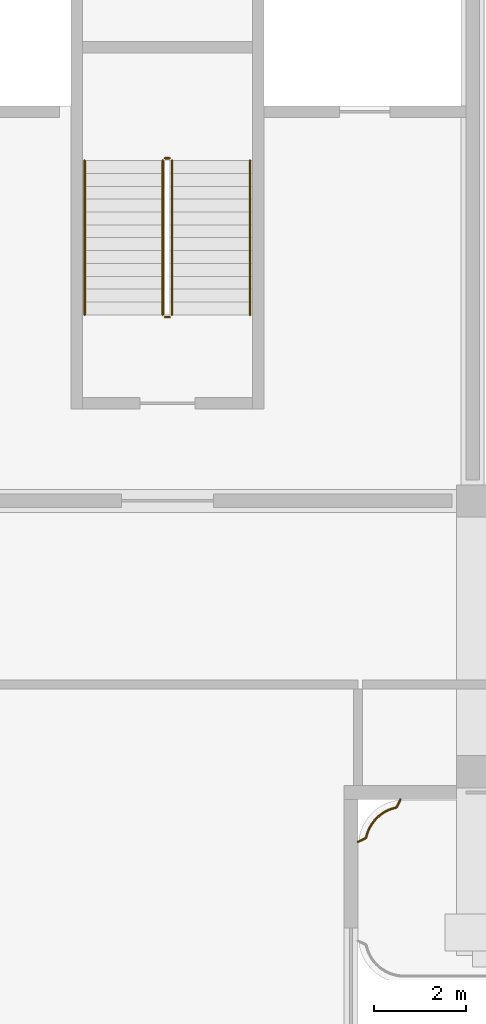
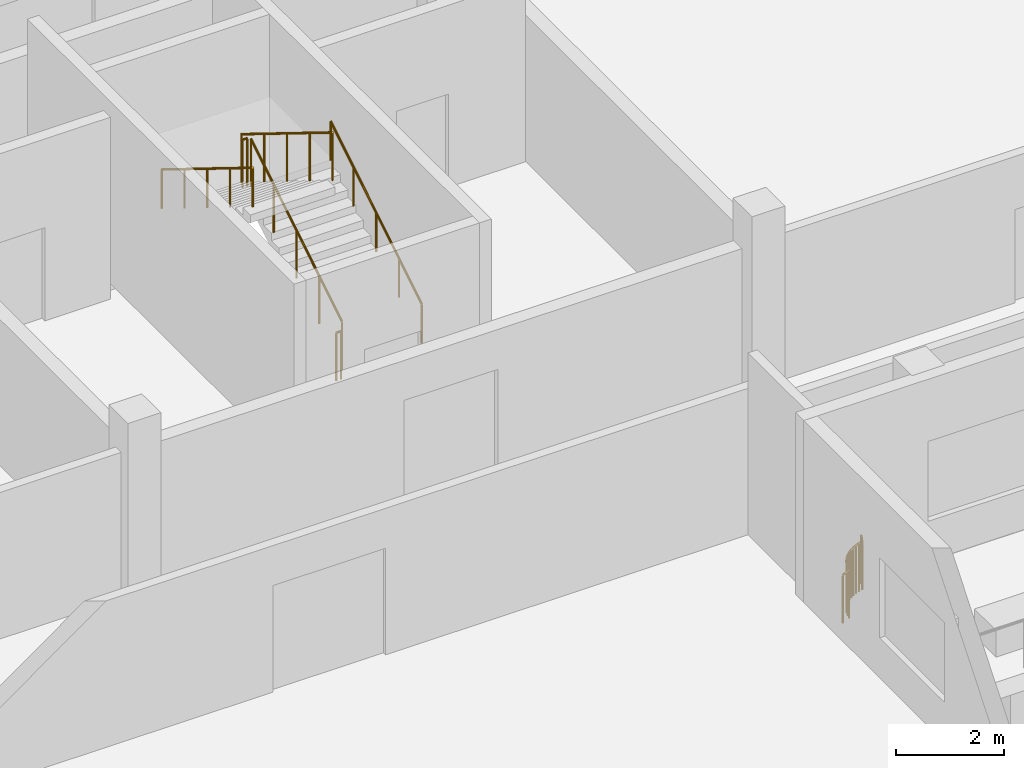
# One storey, part 34 of 36: 7 railings.
"""IFC4 building model written with IfcOpenShell, lengths in metres."""

from ifc_helpers import new_model, si_unit, direction, frame, origin, origin_2d, place, context, subcontext, project, spatial, circle, extrude, material, type_object, element, save


model = new_model("IFC4")

# Units and contexts
model_context = context("Model", 3, precision=1e-05, world=origin(), true_north=direction((0.0, 1.0)))
body_context = subcontext(model_context, "Body", "Model", "MODEL_VIEW")
ifc_project = project(units=[si_unit("LENGTHUNIT", "METRE"), si_unit("AREAUNIT", "SQUARE_METRE"), si_unit("VOLUMEUNIT", "CUBIC_METRE"), si_unit("PLANEANGLEUNIT", "RADIAN"), si_unit("MASSUNIT", "GRAM", prefix="KILO")], contexts=[model_context])

# Site, building, storey
site_placement = place(None, origin())
site = spatial("IfcSite", under=ifc_project, at=site_placement, CompositionType="ELEMENT")
building_placement = place(site_placement, origin())
building = spatial("IfcBuilding", under=site, at=building_placement, Name="Kilnfold Tower and Market Hall", CompositionType="ELEMENT")
storey_placement = place(building_placement, frame((0.0, 0.0, 18.0)))
storey = spatial("IfcBuildingStorey", under=building, at=storey_placement, Name="L03", CompositionType="ELEMENT", Elevation=18.0)

# Railings
ifc_material_1 = material(Name="Steel S355", Category="steel")
railing_type_1 = type_object("IfcRailingType", Name="HALL STAIR GUARD 1100", PredefinedType="GUARDRAIL", material=ifc_material_1)
railing_1_placement = place(storey_placement, frame((24.10009765625, 46.699951171875, 0.173095703125)))
element("IfcRailing", 1, at=railing_1_placement, inside=storey, type_object=railing_type_1, Name="L03 MS5 stair guard 1", PredefinedType="GUARDRAIL", context=body_context, shape_type="SweptSolid", body=[
    extrude(circle(Radius=0.02392578125, at=origin_2d()), frame((0.0, 0.0, 1.076171875), z_axis=(0.0, 0.850623216509, 0.525775754039), x_axis=(-1.0, 0.0, 0.0)), (0.0, 0.0, 1.0), 3.9501953125),
    extrude(circle(Radius=0.02099609375, at=origin_2d()), origin(), (0.0, 0.0, 1.0), 1.052001953125),
    extrude(circle(Radius=0.02099609375, at=origin_2d()), frame((0.0, 0.840087890625, 0.519287109375)), (0.0, 0.0, 1.0), 1.052001953125),
    extrude(circle(Radius=0.02099609375, at=origin_2d()), frame((0.0, 1.68017578125, 1.03857421875)), (0.0, 0.0, 1.0), 1.052001953125),
    extrude(circle(Radius=0.02099609375, at=origin_2d()), frame((0.0, 2.52001953125, 1.5576171875)), (0.0, 0.0, 1.0), 1.052001953125),
    extrude(circle(Radius=0.02099609375, at=origin_2d()), frame((0.0, 3.360107421875, 2.076904296875)), (0.0, 0.0, 1.0), 1.052001953125),
])
railing_2_placement = place(storey_placement, frame((24.050048828125, 50.110107421875, 2.25)))
element("IfcRailing", 2, at=railing_2_placement, inside=storey, type_object=railing_type_1, Name="L03 MS5 stair guard 2", PredefinedType="GUARDRAIL", context=body_context, shape_type="SweptSolid", body=[
    extrude(circle(Radius=0.02392578125, at=origin_2d()), frame((0.0, 0.0, 1.076171875), z_axis=(-1.0, 0.0, 0.0), x_axis=(0.0, -1.0, 0.0)), (0.0, 0.0, 1.0), 0.10009765625),
    extrude(circle(Radius=0.02099609375, at=origin_2d()), origin(), (0.0, 0.0, 1.0), 1.052001953125),
    extrude(circle(Radius=0.02099609375, at=origin_2d()), frame((-0.10009765625, 0.0, 0.0)), (0.0, 0.0, 1.0), 1.052001953125),
])
railing_3_placement = place(storey_placement, frame((23.89990234375, 50.06005859375, 2.423095703125)))
element("IfcRailing", 3, at=railing_3_placement, inside=storey, type_object=railing_type_1, Name="L03 MS5 stair guard 3", PredefinedType="GUARDRAIL", context=body_context, shape_type="SweptSolid", body=[
    extrude(circle(Radius=0.02392578125, at=origin_2d()), frame((0.0, 0.0, 1.076171875), z_axis=(0.0, -0.850623216509, 0.525775754039), x_axis=(1.0, 0.0, 0.0)), (0.0, 0.0, 1.0), 3.9501953125),
    extrude(circle(Radius=0.02099609375, at=origin_2d()), origin(), (0.0, 0.0, 1.0), 1.052001953125),
    extrude(circle(Radius=0.02099609375, at=origin_2d()), frame((0.0, -0.840087890625, 0.519287109375)), (0.0, 0.0, 1.0), 1.052001953125),
    extrude(circle(Radius=0.02099609375, at=origin_2d()), frame((0.0, -1.68017578125, 1.03857421875)), (0.0, 0.0, 1.0), 1.052001953125),
    extrude(circle(Radius=0.02099609375, at=origin_2d()), frame((0.0, -2.52001953125, 1.5576171875)), (0.0, 0.0, 1.0), 1.052001953125),
    extrude(circle(Radius=0.02099609375, at=origin_2d()), frame((0.0, -3.360107421875, 2.076904296875)), (0.0, 0.0, 1.0), 1.052001953125),
])
railing_4_placement = place(storey_placement, frame((24.050048828125, 46.64990234375, 0.0)))
element("IfcRailing", 4, at=railing_4_placement, inside=storey, type_object=railing_type_1, Name="L03 MS5 stair guard 4", PredefinedType="GUARDRAIL", context=body_context, shape_type="SweptSolid", body=[
    extrude(circle(Radius=0.02392578125, at=origin_2d()), frame((0.0, 0.0, 1.076171875), z_axis=(-1.0, 0.0, 0.0), x_axis=(0.0, -1.0, 0.0)), (0.0, 0.0, 1.0), 0.10009765625),
    extrude(circle(Radius=0.02099609375, at=origin_2d()), origin(), (0.0, 0.0, 1.0), 1.052001953125),
    extrude(circle(Radius=0.02099609375, at=origin_2d()), frame((-0.10009765625, 0.0, 0.0)), (0.0, 0.0, 1.0), 1.052001953125),
])
ifc_material_2 = material(Name="Steel S355", Category="steel")
railing_type_2 = type_object("IfcRailingType", Name="HALL STAIR HANDRAIL", PredefinedType="HANDRAIL", material=ifc_material_2)
railing_5_placement = place(storey_placement, frame((25.800048828125, 46.699951171875, 0.173095703125)))
element("IfcRailing", 5, at=railing_5_placement, inside=storey, type_object=railing_type_2, Name="L03 MS5 stair handrail 1", PredefinedType="HANDRAIL", context=body_context, shape_type="SweptSolid", body=[
    extrude(circle(Radius=0.02392578125, at=origin_2d()), frame((0.0, 0.0, 0.8759765625), z_axis=(0.0, 0.850623216509, 0.525775754039), x_axis=(-1.0, 0.0, 0.0)), (0.0, 0.0, 1.0), 3.9501953125),
    extrude(circle(Radius=0.02099609375, at=origin_2d()), origin(), (0.0, 0.0, 1.0), 0.851806640625),
    extrude(circle(Radius=0.02099609375, at=origin_2d()), frame((0.0, 0.840087890625, 0.519287109375)), (0.0, 0.0, 1.0), 0.851806640625),
    extrude(circle(Radius=0.02099609375, at=origin_2d()), frame((0.0, 1.68017578125, 1.03857421875)), (0.0, 0.0, 1.0), 0.851806640625),
    extrude(circle(Radius=0.02099609375, at=origin_2d()), frame((0.0, 2.52001953125, 1.5576171875)), (0.0, 0.0, 1.0), 0.851806640625),
    extrude(circle(Radius=0.02099609375, at=origin_2d()), frame((0.0, 3.360107421875, 2.076904296875)), (0.0, 0.0, 1.0), 0.851806640625),
])
railing_6_placement = place(storey_placement, frame((22.199951171875, 50.06005859375, 2.423095703125)))
element("IfcRailing", 6, at=railing_6_placement, inside=storey, type_object=railing_type_2, Name="L03 MS5 stair handrail 2", PredefinedType="HANDRAIL", context=body_context, shape_type="SweptSolid", body=[
    extrude(circle(Radius=0.02392578125, at=origin_2d()), frame((0.0, 0.0, 0.8759765625), z_axis=(0.0, -0.850623216509, 0.525775754039), x_axis=(1.0, 0.0, 0.0)), (0.0, 0.0, 1.0), 3.9501953125),
    extrude(circle(Radius=0.02099609375, at=origin_2d()), origin(), (0.0, 0.0, 1.0), 0.851806640625),
    extrude(circle(Radius=0.02099609375, at=origin_2d()), frame((0.0, -0.840087890625, 0.519287109375)), (0.0, 0.0, 1.0), 0.851806640625),
    extrude(circle(Radius=0.02099609375, at=origin_2d()), frame((0.0, -1.68017578125, 1.03857421875)), (0.0, 0.0, 1.0), 0.851806640625),
    extrude(circle(Radius=0.02099609375, at=origin_2d()), frame((0.0, -2.52001953125, 1.5576171875)), (0.0, 0.0, 1.0), 0.851806640625),
    extrude(circle(Radius=0.02099609375, at=origin_2d()), frame((0.0, -3.360107421875, 2.076904296875)), (0.0, 0.0, 1.0), 0.851806640625),
])
ifc_material_3 = material(Name="Steel S355", Category="steel")
railing_type_3 = type_object("IfcRailingType", Name="TERRACE GUARD 1100", PredefinedType="GUARDRAIL", material=ifc_material_3)
railing_7_placement = place(storey_placement, frame((28.14990234375, 35.223388671875, 0.0)))
element("IfcRailing", 7, at=railing_7_placement, inside=storey, type_object=railing_type_3, Name="Terrace guard L03", PredefinedType="GUARDRAIL", context=body_context, shape_type="SweptSolid", body=[
    extrude(circle(Radius=0.02392578125, at=origin_2d()), frame((0.0, 0.0, 1.076171875), z_axis=(0.905894838858, 0.42350270475, 0.0), x_axis=(-0.42350270475, 0.905894838858, 0.0)), (0.0, 0.0, 1.0), 0.19482421875),
    extrude(circle(Radius=0.02392578125, at=origin_2d()), frame((0.176513671875, 0.08251953125, 1.076171875), z_axis=(0.243225074977, 0.969969877317, 0.0), x_axis=(-0.969969877317, 0.243225074977, 0.0)), (0.0, 0.0, 1.0), 0.083251953125),
    extrude(circle(Radius=0.02392578125, at=origin_2d()), frame((0.19677734375, 0.163330078125, 1.076171875), z_axis=(0.339860442393, 0.94047587938, 0.0), x_axis=(-0.94047587938, 0.339860442393, 0.0)), (0.0, 0.0, 1.0), 0.083251953125),
    extrude(circle(Radius=0.02392578125, at=origin_2d()), frame((0.22509765625, 0.24169921875, 1.076171875), z_axis=(0.424809143949, 0.905282934346, 0.0), x_axis=(-0.905282934346, 0.424809143949, 0.0)), (0.0, 0.0, 1.0), 0.083251953125),
    extrude(circle(Radius=0.02392578125, at=origin_2d()), frame((0.260498046875, 0.317138671875, 1.076171875), z_axis=(0.514925942955, 0.857234666397, 0.0), x_axis=(-0.857234666397, 0.514925942955, 0.0)), (0.0, 0.0, 1.0), 0.08349609375),
    extrude(circle(Radius=0.02392578125, at=origin_2d()), frame((0.303466796875, 0.388671875, 1.076171875), z_axis=(0.595786159963, 0.803143107794, 0.0), x_axis=(-0.803143107794, 0.595786159963, 0.0)), (0.0, 0.0, 1.0), 0.08349609375),
    extrude(circle(Radius=0.02392578125, at=origin_2d()), frame((0.353271484375, 0.455810546875, 1.076171875), z_axis=(0.671066773129, 0.741396915291, 0.0), x_axis=(-0.741396915291, 0.671066773129, 0.0)), (0.0, 0.0, 1.0), 0.083251953125),
    extrude(circle(Radius=0.02392578125, at=origin_2d()), frame((0.4091796875, 0.517578125, 1.076171875), z_axis=(0.741396915291, 0.671066773129, 0.0), x_axis=(-0.671066773129, 0.741396915291, 0.0)), (0.0, 0.0, 1.0), 0.083251953125),
    extrude(circle(Radius=0.02392578125, at=origin_2d()), frame((0.470947265625, 0.573486328125, 1.076171875), z_axis=(0.803143107794, 0.595786159963, 0.0), x_axis=(-0.595786159963, 0.803143107794, 0.0)), (0.0, 0.0, 1.0), 0.08349609375),
    extrude(circle(Radius=0.02392578125, at=origin_2d()), frame((0.5380859375, 0.623291015625, 1.076171875), z_axis=(0.858525353686, 0.512771115683, 0.0), x_axis=(-0.512771115683, 0.858525353686, 0.0)), (0.0, 0.0, 1.0), 0.083251953125),
    extrude(circle(Radius=0.02392578125, at=origin_2d()), frame((0.609619140625, 0.666015625, 1.076171875), z_axis=(0.903618326629, 0.428338557428, 0.0), x_axis=(-0.428338557428, 0.903618326629, 0.0)), (0.0, 0.0, 1.0), 0.083251953125),
    extrude(circle(Radius=0.02392578125, at=origin_2d()), frame((0.684814453125, 0.70166015625, 1.076171875), z_axis=(0.941741911595, 0.336336396998, 0.0), x_axis=(-0.336336396998, 0.941741911595, 0.0)), (0.0, 0.0, 1.0), 0.08349609375),
    extrude(circle(Radius=0.02392578125, at=origin_2d()), frame((0.763427734375, 0.729736328125, 1.076171875), z_axis=(0.969969877317, 0.243225074977, 0.0), x_axis=(-0.243225074977, 0.969969877317, 0.0)), (0.0, 0.0, 1.0), 0.083251953125),
    extrude(circle(Radius=0.02392578125, at=origin_2d()), frame((0.84423828125, 0.75, 1.076171875), z_axis=(0.42350270475, 0.905894838858, 0.0), x_axis=(-0.905894838858, 0.42350270475, 0.0)), (0.0, 0.0, 1.0), 0.19482421875),
    extrude(circle(Radius=0.02099609375, at=origin_2d()), origin(), (0.0, 0.0, 1.0), 1.052001953125),
    extrude(circle(Radius=0.02099609375, at=origin_2d()), frame((0.176513671875, 0.08251953125, 0.0)), (0.0, 0.0, 1.0), 1.052001953125),
    extrude(circle(Radius=0.02099609375, at=origin_2d()), frame((0.19677734375, 0.163330078125, 0.0)), (0.0, 0.0, 1.0), 1.052001953125),
    extrude(circle(Radius=0.02099609375, at=origin_2d()), frame((0.22509765625, 0.24169921875, 0.0)), (0.0, 0.0, 1.0), 1.052001953125),
    extrude(circle(Radius=0.02099609375, at=origin_2d()), frame((0.260498046875, 0.317138671875, 0.0)), (0.0, 0.0, 1.0), 1.052001953125),
    extrude(circle(Radius=0.02099609375, at=origin_2d()), frame((0.303466796875, 0.388671875, 0.0)), (0.0, 0.0, 1.0), 1.052001953125),
    extrude(circle(Radius=0.02099609375, at=origin_2d()), frame((0.353271484375, 0.455810546875, 0.0)), (0.0, 0.0, 1.0), 1.052001953125),
    extrude(circle(Radius=0.02099609375, at=origin_2d()), frame((0.4091796875, 0.517578125, 0.0)), (0.0, 0.0, 1.0), 1.052001953125),
    extrude(circle(Radius=0.02099609375, at=origin_2d()), frame((0.470947265625, 0.573486328125, 0.0)), (0.0, 0.0, 1.0), 1.052001953125),
    extrude(circle(Radius=0.02099609375, at=origin_2d()), frame((0.5380859375, 0.623291015625, 0.0)), (0.0, 0.0, 1.0), 1.052001953125),
    extrude(circle(Radius=0.02099609375, at=origin_2d()), frame((0.609619140625, 0.666015625, 0.0)), (0.0, 0.0, 1.0), 1.052001953125),
    extrude(circle(Radius=0.02099609375, at=origin_2d()), frame((0.684814453125, 0.70166015625, 0.0)), (0.0, 0.0, 1.0), 1.052001953125),
    extrude(circle(Radius=0.02099609375, at=origin_2d()), frame((0.763427734375, 0.729736328125, 0.0)), (0.0, 0.0, 1.0), 1.052001953125),
    extrude(circle(Radius=0.02099609375, at=origin_2d()), frame((0.84423828125, 0.75, 0.0)), (0.0, 0.0, 1.0), 1.052001953125),
    extrude(circle(Radius=0.02099609375, at=origin_2d()), frame((0.9267578125, 0.926513671875, 0.0)), (0.0, 0.0, 1.0), 1.052001953125),
])

save(model, "model.ifc")
